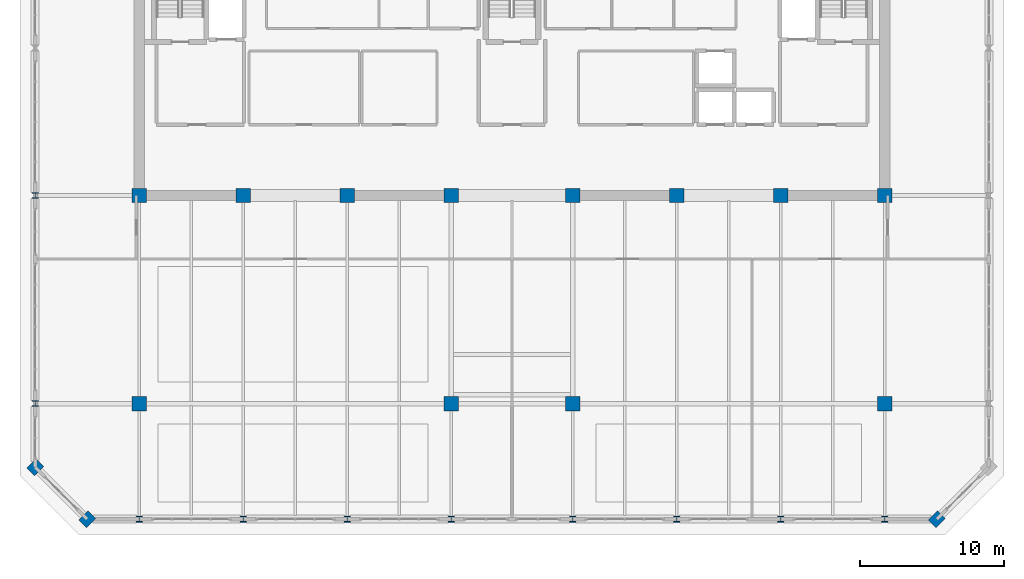
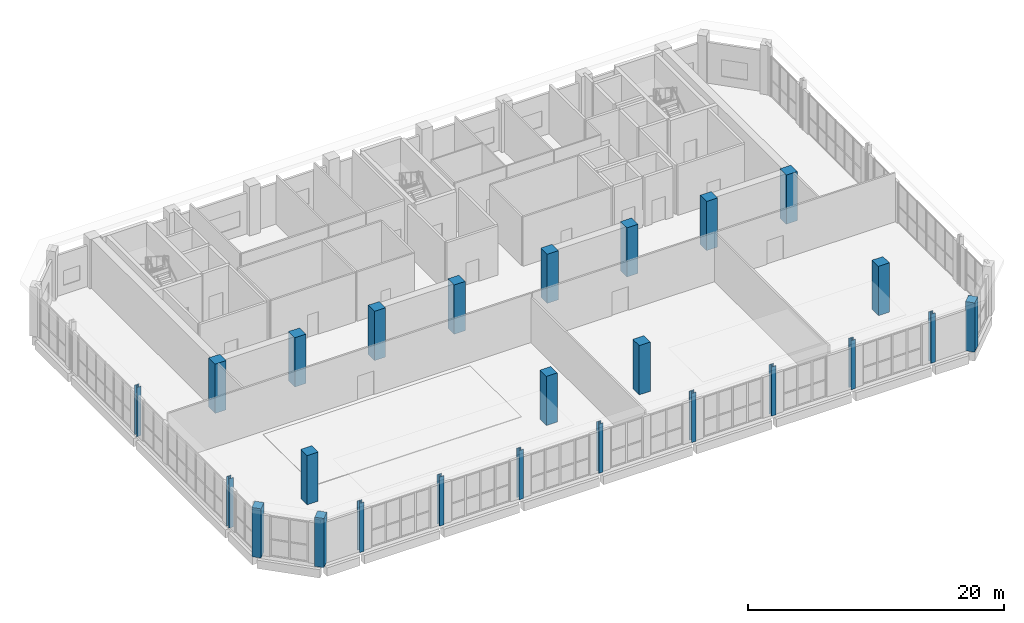
# One storey, part 1 of 36: 25 columns.
"""IFC4 building model written with IfcOpenShell, lengths in metres."""

from ifc_helpers import new_model, si_unit, direction, frame, origin, origin_2d, place, context, subcontext, project, spatial, rectangle, i_section, extrude, material, material_profile, profile_set, type_object, element, save


model = new_model("IFC4")

# Units and contexts
model_context = context("Model", 3, precision=1e-05, world=origin(), true_north=direction((0.0, 1.0)))
body_context = subcontext(model_context, "Body", "Model", "MODEL_VIEW")
ifc_project = project(units=[si_unit("LENGTHUNIT", "METRE"), si_unit("AREAUNIT", "SQUARE_METRE"), si_unit("VOLUMEUNIT", "CUBIC_METRE"), si_unit("PLANEANGLEUNIT", "RADIAN"), si_unit("MASSUNIT", "GRAM", prefix="KILO")], contexts=[model_context])

# Site, building, storey
site_placement = place(None, origin())
site = spatial("IfcSite", under=ifc_project, at=site_placement, CompositionType="ELEMENT")
building_placement = place(site_placement, origin())
building = spatial("IfcBuilding", under=site, at=building_placement, Name="Kaelvorn Grand Hotel", CompositionType="ELEMENT")
storey_placement = place(building_placement, frame((0.0, 0.0, 305.699951171875)))
storey = spatial("IfcBuildingStorey", under=building, at=storey_placement, Name="L74", CompositionType="ELEMENT", Elevation=305.699951171875)

# Columns
ifc_material_1 = material(Name="Concrete C60/75", Category="concrete")
ifc_material_profile_1 = material_profile(ifc_material_1, rectangle(XDim=0.89990234375, YDim=0.75, at=origin_2d()), Name="RC PILASTER 900x750")
ifc_profile_set_1 = profile_set([ifc_material_profile_1], Name="Concrete C60/75")
column_type_1 = type_object("IfcColumnType", Name="COL-PIL-900x750-C60", PredefinedType="PILASTER", material=ifc_profile_set_1)
for number, where, z_axis, x_axis, name in (
    (1, (12.60009765625, 7.0, 0.0), (0.0, 0.0, 1.0), (0.707106781187, 0.707106781187, 0.0), "L74 Structural Column CH-01"),
    (2, (71.39990234375, 7.0, 0.0), (0.0, 0.0, 1.0), (0.707106781187, 0.707106781187, 0.0), "L74 Structural Column CH-02"),
    (3, (9.0, 10.60009765625, 0.0), (0.0, 0.0, 1.0), (0.707106781187, 0.707106781187, 0.0), "L74 Structural Column CH-08"),
):
    element("IfcColumn", number, at=place(storey_placement, frame(where, z_axis=z_axis, x_axis=x_axis)), inside=storey, type_object=column_type_1, Name=name, PredefinedType="PILASTER", context=body_context, shape_type="SweptSolid", body=[
        extrude(rectangle(XDim=0.89990234375, YDim=0.75, at=origin_2d()), origin(), (0.0, 0.0, 1.0), 4.699951171875),
    ])
ifc_material_2 = material(Name="Concrete C50/60", Category="concrete")
ifc_material_profile_2 = material_profile(ifc_material_2, rectangle(XDim=1.0, YDim=1.0, at=origin_2d()), Name="RC COL 1000x1000")
ifc_profile_set_2 = profile_set([ifc_material_profile_2], Name="Concrete C50/60")
column_type_2 = type_object("IfcColumnType", Name="COL-RC-1000-C50", PredefinedType="COLUMN", material=ifc_profile_set_2)
for number, where, z_axis, x_axis, name in (
    (4, (16.199951171875, 15.0, 0.0), (0.0, 0.0, 1.0), (1.0, 0.0, 0.0), "L74 Structural Column M-01"),
    (5, (37.800048828125, 15.0, 0.0), (0.0, 0.0, 1.0), (1.0, 0.0, 0.0), "L74 Structural Column M-02"),
    (6, (46.199951171875, 15.0, 0.0), (0.0, 0.0, 1.0), (1.0, 0.0, 0.0), "L74 Structural Column M-03"),
    (7, (67.800048828125, 15.0, 0.0), (0.0, 0.0, 1.0), (1.0, 0.0, 0.0), "L74 Structural Column M-04"),
    (8, (16.199951171875, 29.39990234375, 0.0), (0.0, 0.0, 1.0), (1.0, 0.0, 0.0), "L74 Structural Column CR1-01"),
    (9, (23.39990234375, 29.39990234375, 0.0), (0.0, 0.0, 1.0), (1.0, 0.0, 0.0), "L74 Structural Column CR1-02"),
    (10, (30.60009765625, 29.39990234375, 0.0), (0.0, 0.0, 1.0), (1.0, 0.0, 0.0), "L74 Structural Column CR1-03"),
    (11, (37.800048828125, 29.39990234375, 0.0), (0.0, 0.0, 1.0), (1.0, 0.0, 0.0), "L74 Structural Column CR1-04"),
    (12, (46.199951171875, 29.39990234375, 0.0), (0.0, 0.0, 1.0), (1.0, 0.0, 0.0), "L74 Structural Column CR1-05"),
    (13, (53.39990234375, 29.39990234375, 0.0), (0.0, 0.0, 1.0), (1.0, 0.0, 0.0), "L74 Structural Column CR1-06"),
    (14, (60.60009765625, 29.39990234375, 0.0), (0.0, 0.0, 1.0), (1.0, 0.0, 0.0), "L74 Structural Column CR1-07"),
    (15, (67.800048828125, 29.39990234375, 0.0), (0.0, 0.0, 1.0), (1.0, 0.0, 0.0), "L74 Structural Column CR1-08"),
):
    element("IfcColumn", number, at=place(storey_placement, frame(where, z_axis=z_axis, x_axis=x_axis)), inside=storey, type_object=column_type_2, Name=name, PredefinedType="COLUMN", context=body_context, shape_type="SweptSolid", body=[
        extrude(rectangle(XDim=1.0, YDim=1.0, at=origin_2d()), origin(), (0.0, 0.0, 1.0), 4.699951171875),
    ])
ifc_material_3 = material(Name="Steel S355", Category="steel")
ifc_material_profile_3 = material_profile(ifc_material_3, i_section(OverallWidth=0.39892578125, OverallDepth=0.3935546875, WebThickness=0.022705078125, FlangeThickness=0.03662109375, FilletRadius=0.01513671875, at=origin_2d()), Name="UC 356x406x287")
ifc_profile_set_3 = profile_set([ifc_material_profile_3], Name="Steel S355")
column_type_3 = type_object("IfcColumnType", Name="COL-STL-UC356-S355", PredefinedType="COLUMN", material=ifc_profile_set_3)
for number, where, z_axis, x_axis, name in (
    (16, (16.199951171875, 7.0, 0.0), (0.0, 0.0, 1.0), (1.0, 0.0, 0.0), "L74 Structural Column S-01"),
    (17, (23.39990234375, 7.0, 0.0), (0.0, 0.0, 1.0), (1.0, 0.0, 0.0), "L74 Structural Column S-02"),
    (18, (30.60009765625, 7.0, 0.0), (0.0, 0.0, 1.0), (1.0, 0.0, 0.0), "L74 Structural Column S-03"),
    (19, (37.800048828125, 7.0, 0.0), (0.0, 0.0, 1.0), (1.0, 0.0, 0.0), "L74 Structural Column S-04"),
    (20, (46.199951171875, 7.0, 0.0), (0.0, 0.0, 1.0), (1.0, 0.0, 0.0), "L74 Structural Column S-05"),
    (21, (53.39990234375, 7.0, 0.0), (0.0, 0.0, 1.0), (1.0, 0.0, 0.0), "L74 Structural Column S-06"),
    (22, (60.60009765625, 7.0, 0.0), (0.0, 0.0, 1.0), (1.0, 0.0, 0.0), "L74 Structural Column S-07"),
    (23, (67.800048828125, 7.0, 0.0), (0.0, 0.0, 1.0), (1.0, 0.0, 0.0), "L74 Structural Column S-08"),
    (24, (9.0, 15.0, 0.0), (0.0, 0.0, 1.0), (1.0, 0.0, 0.0), "L74 Structural Column W-01"),
    (25, (9.0, 29.39990234375, 0.0), (0.0, 0.0, 1.0), (1.0, 0.0, 0.0), "L74 Structural Column W-02"),
):
    element("IfcColumn", number, at=place(storey_placement, frame(where, z_axis=z_axis, x_axis=x_axis)), inside=storey, type_object=column_type_3, Name=name, PredefinedType="COLUMN", context=body_context, shape_type="SweptSolid", body=[
        extrude(i_section(OverallWidth=0.39892578125, OverallDepth=0.3935546875, WebThickness=0.022705078125, FlangeThickness=0.03662109375, FilletRadius=0.01513671875, at=origin_2d()), origin(), (0.0, 0.0, 1.0), 4.699951171875),
    ])

save(model, "model.ifc")
